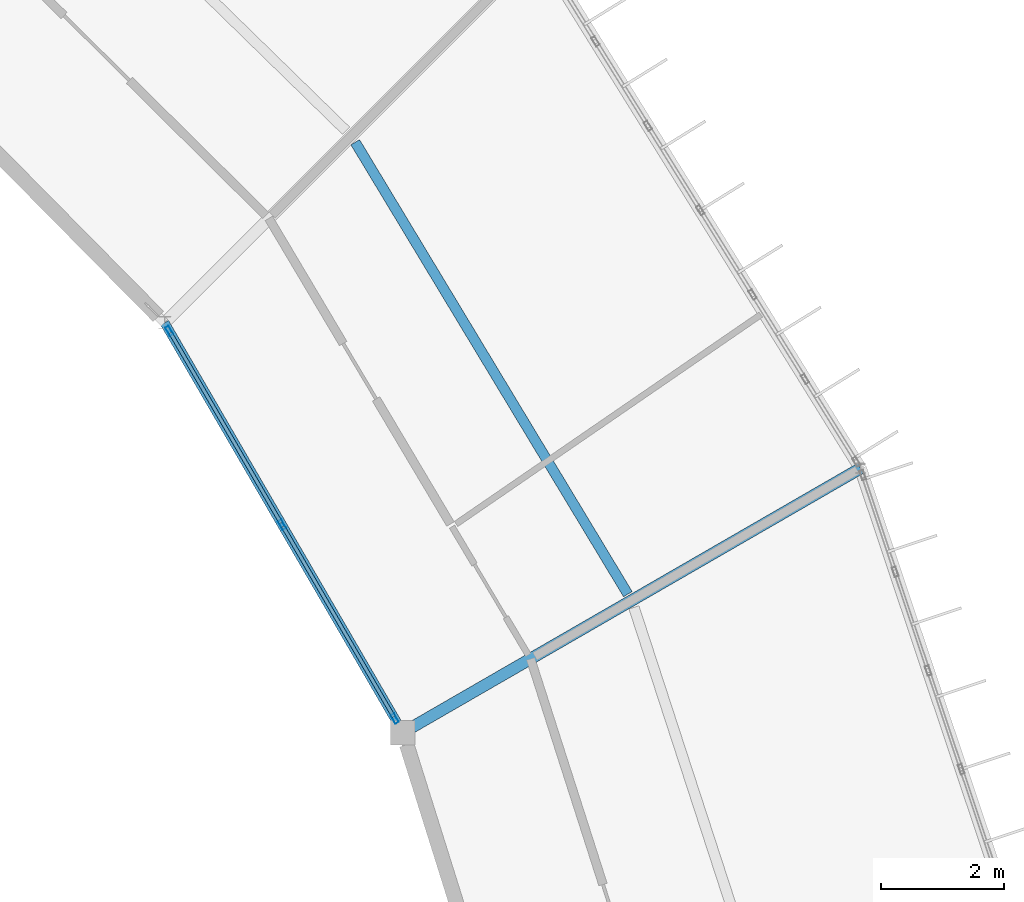
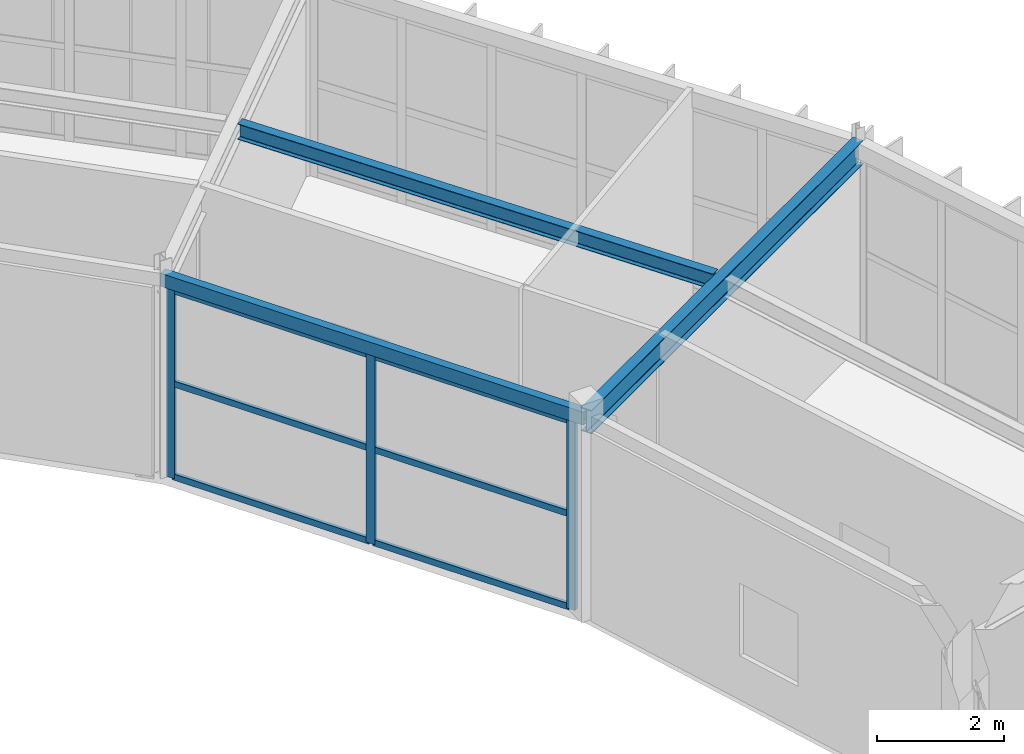
# One storey, part 76 of 134: 9 members, 3 beams, 1 element without a shape of its own.
"""IFC4 building model written with IfcOpenShell, lengths in metres."""

from ifc_helpers import new_model, si_unit, direction, frame, origin, origin_2d, place, context, subcontext, project, spatial, hollow_rectangle, i_section, extrude, material, material_profile, profile_set, type_object, element, aggregate, save


model = new_model("IFC4")

# Units and contexts
model_context = context("Model", 3, precision=1e-05, world=origin(), true_north=direction((0.0, 1.0)))
body_context = subcontext(model_context, "Body", "Model", "MODEL_VIEW")
ifc_project = project(units=[si_unit("LENGTHUNIT", "METRE"), si_unit("AREAUNIT", "SQUARE_METRE"), si_unit("VOLUMEUNIT", "CUBIC_METRE"), si_unit("PLANEANGLEUNIT", "RADIAN"), si_unit("MASSUNIT", "GRAM", prefix="KILO")], contexts=[model_context])

# Site, building, storey
site_placement = place(None, origin())
site = spatial("IfcSite", under=ifc_project, at=site_placement, CompositionType="ELEMENT")
building_placement = place(site_placement, origin())
building = spatial("IfcBuilding", under=site, at=building_placement, Name="Karori Crest Natural Sciences Institute", CompositionType="ELEMENT")
storey_placement = place(building_placement, frame((0.0, 0.0, 21.699951171875)))
storey = spatial("IfcBuildingStorey", under=building, at=storey_placement, Name="L05", CompositionType="ELEMENT", Elevation=21.699951171875)

# Beams
ifc_material_1 = material(Name="Structural steel AS/NZS 3679.1 Grade 350", Category="steel")
ifc_material_profile_1 = material_profile(ifc_material_1, i_section(OverallWidth=0.1650390625, OverallDepth=0.303955078125, WebThickness=0.006103515625, FlangeThickness=0.01025390625, FilletRadius=0.010986328125, at=origin_2d()), Name="310UB40.4")
ifc_profile_set_1 = profile_set([ifc_material_profile_1], Name="Structural steel AS/NZS 3679.1 Grade 350")
beam_type_1 = type_object("IfcBeamType", Name="BT-10", PredefinedType="BEAM", material=ifc_profile_set_1)
beam_1_placement = place(storey_placement, frame((91.19287109375, 68.252685546875, 3.7880859375), z_axis=(-0.516601017309, 0.856226248672, 0.0), x_axis=(-0.856226248672, -0.516601017309, 0.0)))
element("IfcBeam", 1, at=beam_1_placement, inside=storey, type_object=beam_type_1, Name="Beam B-0550", PredefinedType="BEAM", context=body_context, shape_type="SweptSolid", body=[
    extrude(i_section(OverallWidth=0.1650390625, OverallDepth=0.303955078125, WebThickness=0.006103515625, FlangeThickness=0.01025390625, FilletRadius=0.010986328125, at=origin_2d()), origin(), (0.0, 0.0, 1.0), 8.5888671875),
])
ifc_material_2 = material(Name="Hollow structural steel AS/NZS 1163 Grade C350", Category="steel")
ifc_material_profile_2 = material_profile(ifc_material_2, hollow_rectangle(XDim=0.14990234375, YDim=0.25, WallThickness=0.009033203125, at=origin_2d()), Name="RHS250x150x9")
ifc_profile_set_2 = profile_set([ifc_material_profile_2], Name="Hollow structural steel AS/NZS 1163 Grade C350")
beam_type_2 = type_object("IfcBeamType", Name="BT-16", PredefinedType="SPANDREL", material=ifc_profile_set_2)
beam_2_placement = place(storey_placement, frame((87.531005859375, 66.0, 3.7900390625), z_axis=(-0.502672163425, 0.864477122958, 0.0), x_axis=(-0.864477122958, -0.502672163425, 0.0)))
element("IfcBeam", 2, at=beam_2_placement, inside=storey, type_object=beam_type_2, Name="Beam B-0548", PredefinedType="SPANDREL", context=body_context, shape_type="SweptSolid", body=[
    extrude(hollow_rectangle(XDim=0.14990234375, YDim=0.25, WallThickness=0.009033203125, at=origin_2d()), origin(), (0.0, 0.0, 1.0), 7.714111328125),
])
ifc_material_profile_3 = material_profile(ifc_material_1, i_section(OverallWidth=0.18994140625, OverallDepth=0.4541015625, WebThickness=0.008544921875, FlangeThickness=0.0126953125, FilletRadius=0.010986328125, at=origin_2d()), Name="460UB67.1")
ifc_profile_set_3 = profile_set([ifc_material_profile_3], Name="Structural steel AS/NZS 3679.1 Grade 350")
beam_type_3 = type_object("IfcBeamType", Name="BT-28", PredefinedType="BEAM", material=ifc_profile_set_3)
beam_3_placement = place(storey_placement, frame((87.531005859375, 66.0, 3.713134765625), z_axis=(0.866021068297, 0.500007509209, 0.0), x_axis=(-0.500007509209, 0.866021068297, 0.0)))
element("IfcBeam", 3, at=beam_3_placement, inside=storey, type_object=beam_type_3, Name="Beam B-0549", PredefinedType="BEAM", context=body_context, shape_type="SweptSolid", body=[
    extrude(i_section(OverallWidth=0.18994140625, OverallDepth=0.4541015625, WebThickness=0.008544921875, FlangeThickness=0.0126953125, FilletRadius=0.010986328125, at=origin_2d()), origin(), (0.0, 0.0, 1.0), 8.599853515625),
])

# Curtain wall, members
ifc_material_3 = material(Name="Anodised architectural aluminium 6063-T6", Category="aluminium")
curtain_wall_type = type_object("IfcCurtainWallType", Name="CWT-13", PredefinedType="NOTDEFINED", material=ifc_material_3)
curtain_wall_placement = place(storey_placement, origin())
curtain_wall = element("IfcCurtainWall", 4, at=curtain_wall_placement, inside=storey, type_object=curtain_wall_type, Name="Curtain wall CW-0176", PredefinedType="NOTDEFINED")
ifc_material_profile_4 = material_profile(ifc_material_3, hollow_rectangle(XDim=0.06494140625, YDim=0.159912109375, WallThickness=0.00390625, at=origin_2d()), Name="CWM160x65x4")
ifc_profile_set_4 = profile_set([ifc_material_profile_4], Name="Anodised architectural aluminium 6063-T6")
member_type_1 = type_object("IfcMemberType", Name="CWM-01", PredefinedType="MULLION", material=ifc_profile_set_4)
member_1_placement = place(storey_placement, frame((87.3994140625, 66.226318359375, 0.0), z_axis=(0.0, 0.0, 1.0), x_axis=(-0.864487154971, -0.502654910341, 0.0)))
member_1 = element("IfcMember", 5, at=member_1_placement, type_object=member_type_1, Name="CW-0176 mullion 1", PredefinedType="MULLION", context=body_context, shape_type="SweptSolid", body=[
    extrude(hollow_rectangle(XDim=0.06494140625, YDim=0.159912109375, WallThickness=0.00390625, at=origin_2d()), origin(), (0.0, 0.0, 1.0), 3.650146484375),
])
member_2_placement = place(storey_placement, frame((85.564697265625, 69.3818359375, 0.0), z_axis=(0.0, 0.0, 1.0), x_axis=(-0.864487154971, -0.502654910341, 0.0)))
member_2 = element("IfcMember", 6, at=member_2_placement, type_object=member_type_1, Name="CW-0176 mullion 2", PredefinedType="MULLION", context=body_context, shape_type="SweptSolid", body=[
    extrude(hollow_rectangle(XDim=0.06494140625, YDim=0.159912109375, WallThickness=0.00390625, at=origin_2d()), origin(), (0.0, 0.0, 1.0), 3.650146484375),
])
member_3_placement = place(storey_placement, frame((83.729736328125, 72.537353515625, 0.0), z_axis=(0.0, 0.0, 1.0), x_axis=(-0.864487154971, -0.502654910341, 0.0)))
member_3 = element("IfcMember", 7, at=member_3_placement, type_object=member_type_1, Name="CW-0176 mullion 3", PredefinedType="MULLION", context=body_context, shape_type="SweptSolid", body=[
    extrude(hollow_rectangle(XDim=0.06494140625, YDim=0.159912109375, WallThickness=0.00390625, at=origin_2d()), origin(), (0.0, 0.0, 1.0), 3.650146484375),
])
ifc_material_profile_5 = material_profile(ifc_material_3, hollow_rectangle(XDim=0.06005859375, YDim=0.1201171875, WallThickness=0.00390625, at=origin_2d()), Name="CWT120x60x4")
ifc_profile_set_5 = profile_set([ifc_material_profile_5], Name="Anodised architectural aluminium 6063-T6")
member_type_2 = type_object("IfcMemberType", Name="CWT-TR1", PredefinedType="USERDEFINED", material=ifc_profile_set_5)
member_4_placement = place(storey_placement, frame((87.383056640625, 66.25439453125, 0.030029296875), z_axis=(-0.502629926078, 0.864501681555, 0.0), x_axis=(-0.864501681555, -0.502629926078, 0.0)))
member_4 = element("IfcMember", 8, at=member_4_placement, type_object=member_type_2, Name="CW-0176 transom 1.1", ObjectType="TRANSOM", PredefinedType="USERDEFINED", context=body_context, shape_type="SweptSolid", body=[
    extrude(hollow_rectangle(XDim=0.06005859375, YDim=0.1201171875, WallThickness=0.00390625, at=origin_2d()), origin(), (0.0, 0.0, 1.0), 3.585205078125),
])
member_5_placement = place(storey_placement, frame((87.383056640625, 66.25439453125, 1.824951171875), z_axis=(-0.502629926078, 0.864501681555, 0.0), x_axis=(-0.864501681555, -0.502629926078, 0.0)))
member_5 = element("IfcMember", 9, at=member_5_placement, type_object=member_type_2, Name="CW-0176 transom 1.2", ObjectType="TRANSOM", PredefinedType="USERDEFINED", context=body_context, shape_type="SweptSolid", body=[
    extrude(hollow_rectangle(XDim=0.06005859375, YDim=0.1201171875, WallThickness=0.00390625, at=origin_2d()), origin(), (0.0, 0.0, 1.0), 3.585205078125),
])
member_6_placement = place(storey_placement, frame((87.383056640625, 66.25439453125, 3.6201171875), z_axis=(-0.502629926078, 0.864501681555, 0.0), x_axis=(-0.864501681555, -0.502629926078, 0.0)))
member_6 = element("IfcMember", 10, at=member_6_placement, type_object=member_type_2, Name="CW-0176 transom 1.3", ObjectType="TRANSOM", PredefinedType="USERDEFINED", context=body_context, shape_type="SweptSolid", body=[
    extrude(hollow_rectangle(XDim=0.06005859375, YDim=0.1201171875, WallThickness=0.00390625, at=origin_2d()), origin(), (0.0, 0.0, 1.0), 3.585205078125),
])
member_7_placement = place(storey_placement, frame((85.54833984375, 69.409912109375, 0.030029296875), z_axis=(-0.502680817258, 0.864472090909, 0.0), x_axis=(-0.864472090909, -0.502680817258, 0.0)))
member_7 = element("IfcMember", 11, at=member_7_placement, type_object=member_type_2, Name="CW-0176 transom 2.1", ObjectType="TRANSOM", PredefinedType="USERDEFINED", context=body_context, shape_type="SweptSolid", body=[
    extrude(hollow_rectangle(XDim=0.06005859375, YDim=0.1201171875, WallThickness=0.00390625, at=origin_2d()), origin(), (0.0, 0.0, 1.0), 3.585205078125),
])
member_8_placement = place(storey_placement, frame((85.54833984375, 69.409912109375, 1.824951171875), z_axis=(-0.502680817258, 0.864472090909, 0.0), x_axis=(-0.864472090909, -0.502680817258, 0.0)))
member_8 = element("IfcMember", 12, at=member_8_placement, type_object=member_type_2, Name="CW-0176 transom 2.2", ObjectType="TRANSOM", PredefinedType="USERDEFINED", context=body_context, shape_type="SweptSolid", body=[
    extrude(hollow_rectangle(XDim=0.06005859375, YDim=0.1201171875, WallThickness=0.00390625, at=origin_2d()), origin(), (0.0, 0.0, 1.0), 3.585205078125),
])
member_9_placement = place(storey_placement, frame((85.54833984375, 69.409912109375, 3.6201171875), z_axis=(-0.502680817258, 0.864472090909, 0.0), x_axis=(-0.864472090909, -0.502680817258, 0.0)))
member_9 = element("IfcMember", 13, at=member_9_placement, type_object=member_type_2, Name="CW-0176 transom 2.3", ObjectType="TRANSOM", PredefinedType="USERDEFINED", context=body_context, shape_type="SweptSolid", body=[
    extrude(hollow_rectangle(XDim=0.06005859375, YDim=0.1201171875, WallThickness=0.00390625, at=origin_2d()), origin(), (0.0, 0.0, 1.0), 3.585205078125),
])
aggregate(curtain_wall, [member_1, member_2, member_3, member_4, member_5, member_6, member_7, member_8, member_9])

save(model, "model.ifc")
